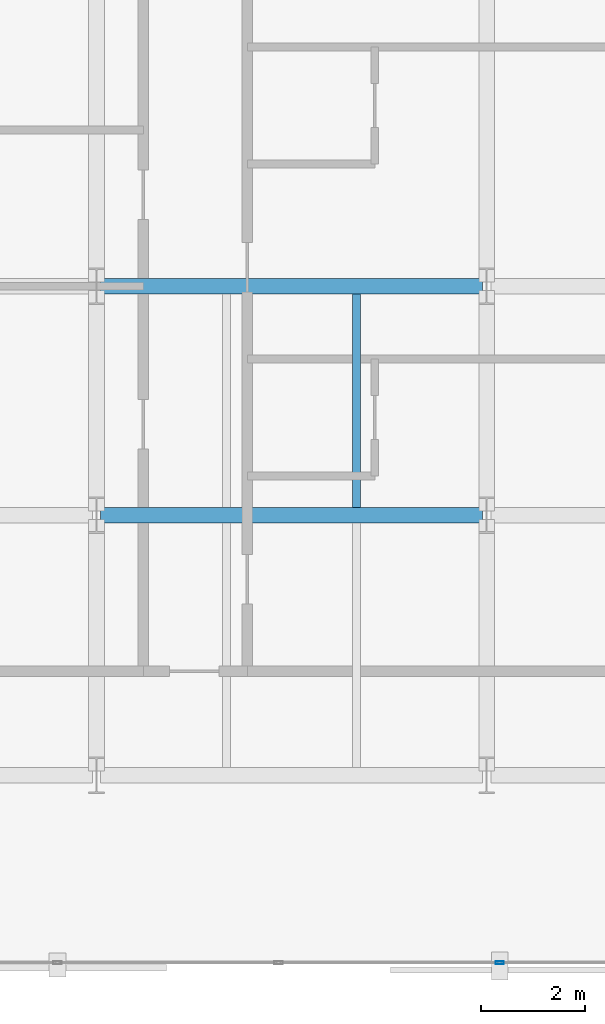
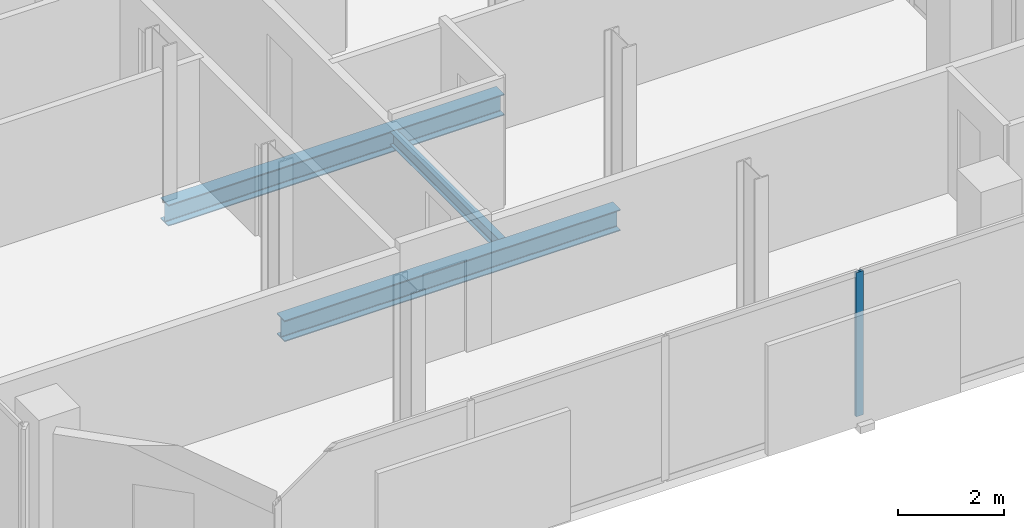
# One storey, part 6 of 35: 3 beams, 1 member, 1 element without a shape of its own.
"""IFC4 building model written with IfcOpenShell, lengths in metres."""

from ifc_helpers import new_model, si_unit, direction, frame, origin, origin_2d, place, context, subcontext, project, spatial, hollow_rectangle, i_section, extrude, material, layer, layer_set, material_profile, profile_set, type_object, element, aggregate, save


model = new_model("IFC4")

# Units and contexts
model_context = context("Model", 3, precision=1e-05, world=origin(), true_north=direction((0.0, 1.0)))
body_context = subcontext(model_context, "Body", "Model", "MODEL_VIEW")
ifc_project = project(units=[si_unit("LENGTHUNIT", "METRE"), si_unit("AREAUNIT", "SQUARE_METRE"), si_unit("VOLUMEUNIT", "CUBIC_METRE"), si_unit("PLANEANGLEUNIT", "RADIAN"), si_unit("MASSUNIT", "GRAM", prefix="KILO")], contexts=[model_context])

# Site, building, storey
site_placement = place(None, origin())
site = spatial("IfcSite", under=ifc_project, at=site_placement, CompositionType="ELEMENT")
building_placement = place(site_placement, origin())
building = spatial("IfcBuilding", under=site, at=building_placement, Name="Catumbela Crestline Tower", CompositionType="ELEMENT")
storey_placement = place(building_placement, frame((0.0, 0.0, 90.0)))
storey = spatial("IfcBuildingStorey", under=building, at=storey_placement, Name="L22", CompositionType="ELEMENT", Elevation=90.0)

# Beams
ifc_material_1 = material(Name="Structural steel S355J2", Category="steel")
ifc_material_profile_1 = material_profile(ifc_material_1, i_section(OverallWidth=0.3, OverallDepth=0.49, WebThickness=0.012, FlangeThickness=0.023, FilletRadius=0.027, at=origin_2d()), Name="HEA 500")
ifc_profile_set_1 = profile_set([ifc_material_profile_1], Name="Structural steel S355J2")
beam_type_1 = type_object("IfcBeamType", Name="BG-HEA500", PredefinedType="BEAM", material=ifc_profile_set_1)
for number, where, z_axis, x_axis, name in (
    (1, (8.58, 13.6, -0.505), (1.0, 0.0, 0.0), (0.0, 1.0, 0.0), "L22 Beam BM-L22-WEW47"),
    (2, (8.58, 18.0, -0.505), (1.0, 0.0, 0.0), (0.0, 1.0, 0.0), "L22 Beam BM-L22-WEW50"),
):
    element("IfcBeam", number, at=place(storey_placement, frame(where, z_axis=z_axis, x_axis=x_axis)), inside=storey, type_object=beam_type_1, Name=name, PredefinedType="BEAM", context=body_context, shape_type="SweptSolid", body=[
        extrude(i_section(OverallWidth=0.3, OverallDepth=0.49, WebThickness=0.012, FlangeThickness=0.023, FilletRadius=0.027, at=origin_2d()), origin(), (0.0, 0.0, 1.0), 7.34),
    ])
ifc_material_profile_2 = material_profile(ifc_material_1, i_section(OverallWidth=0.15, OverallDepth=0.3, WebThickness=0.0071, FlangeThickness=0.0107, FilletRadius=0.015, at=origin_2d()), Name="IPE 300")
ifc_profile_set_2 = profile_set([ifc_material_profile_2], Name="Structural steel S355J2")
beam_type_2 = type_object("IfcBeamType", Name="BJ-IPE300", PredefinedType="JOIST", material=ifc_profile_set_2)
beam_placement = place(storey_placement, frame((13.5, 13.747, -0.41), z_axis=(0.0, 1.0, 0.0), x_axis=(-1.0, 0.0, 0.0)))
element("IfcBeam", 3, at=beam_placement, inside=storey, type_object=beam_type_2, Name="L22 Joist JS-L22-WG72", PredefinedType="JOIST", context=body_context, shape_type="SweptSolid", body=[
    extrude(i_section(OverallWidth=0.15, OverallDepth=0.3, WebThickness=0.0071, FlangeThickness=0.0107, FilletRadius=0.015, at=origin_2d()), origin(), (0.0, 0.0, 1.0), 4.106),
])

# Curtain wall, member
ifc_material_2 = material(Name="Aluminium alloy AW-6060-T66", Category="aluminium")
ifc_layer = layer(ifc_material_2, 0.18, Name="Aluminium alloy AW-6060-T66")
ifc_layer_set = layer_set([ifc_layer], Name="Aluminium alloy AW-6060-T66")
curtain_wall_type = type_object("IfcCurtainWallType", Name="CWU-Z2", PredefinedType="USERDEFINED", material=ifc_layer_set)
curtain_wall_placement = place(storey_placement, origin())
curtain_wall = element("IfcCurtainWall", 4, at=curtain_wall_placement, inside=storey, type_object=curtain_wall_type, Name="L22 Unitised Curtain Wall CW-L22-E0S1", ObjectType="UNITISED", PredefinedType="USERDEFINED")
ifc_material_profile_3 = material_profile(ifc_material_2, hollow_rectangle(XDim=0.06, YDim=0.16, WallThickness=0.004, at=origin_2d()), Name="ALU 160x60x4")
ifc_profile_set_3 = profile_set([ifc_material_profile_3], Name="Aluminium alloy AW-6060-T66")
member_type = type_object("IfcMemberType", Name="MUL-160X60", PredefinedType="MULLION", material=ifc_profile_set_3)
member_placement = place(storey_placement, frame((16.25, 5.0, 0.0), z_axis=(0.0, 0.0, 1.0), x_axis=(0.0, 1.0, 0.0)))
member = element("IfcMember", 5, at=member_placement, type_object=member_type, Name="CWU-Z2 mullion 4", PredefinedType="MULLION", context=body_context, shape_type="SweptSolid", body=[
    extrude(hollow_rectangle(XDim=0.06, YDim=0.16, WallThickness=0.004, at=origin_2d()), origin(), (0.0, 0.0, 1.0), 3.33),
])
aggregate(curtain_wall, [member])

save(model, "model.ifc")
